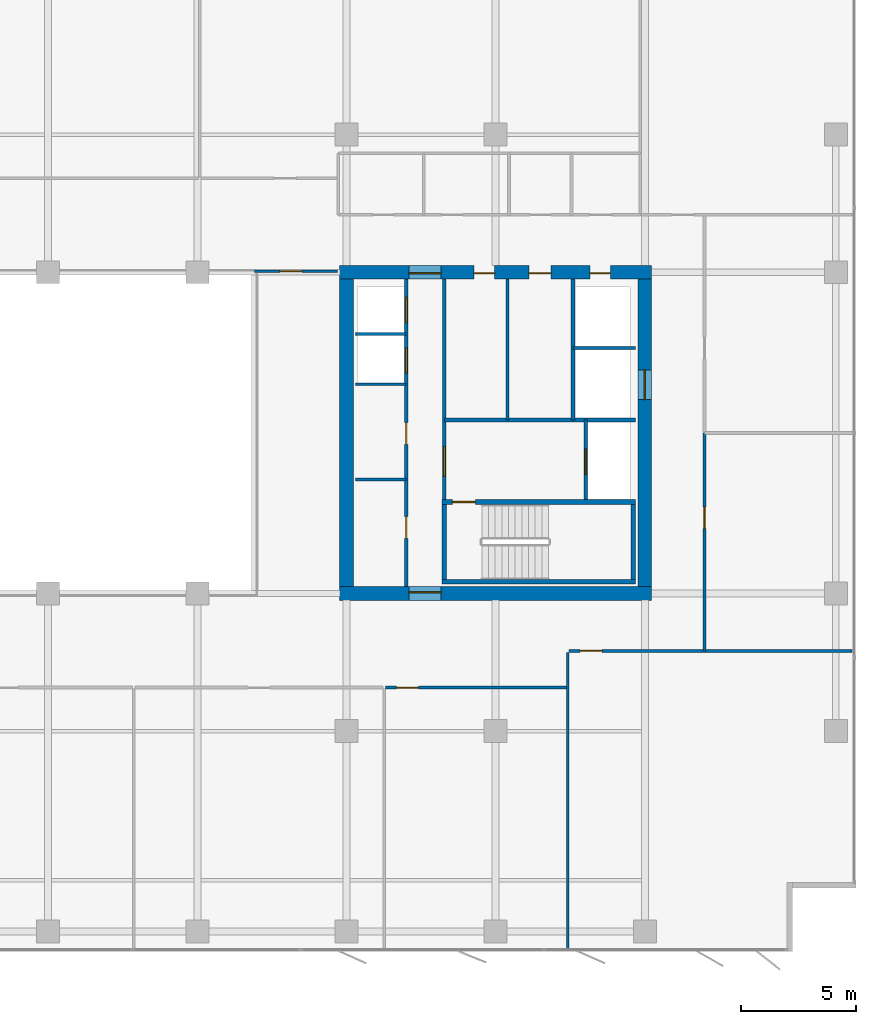
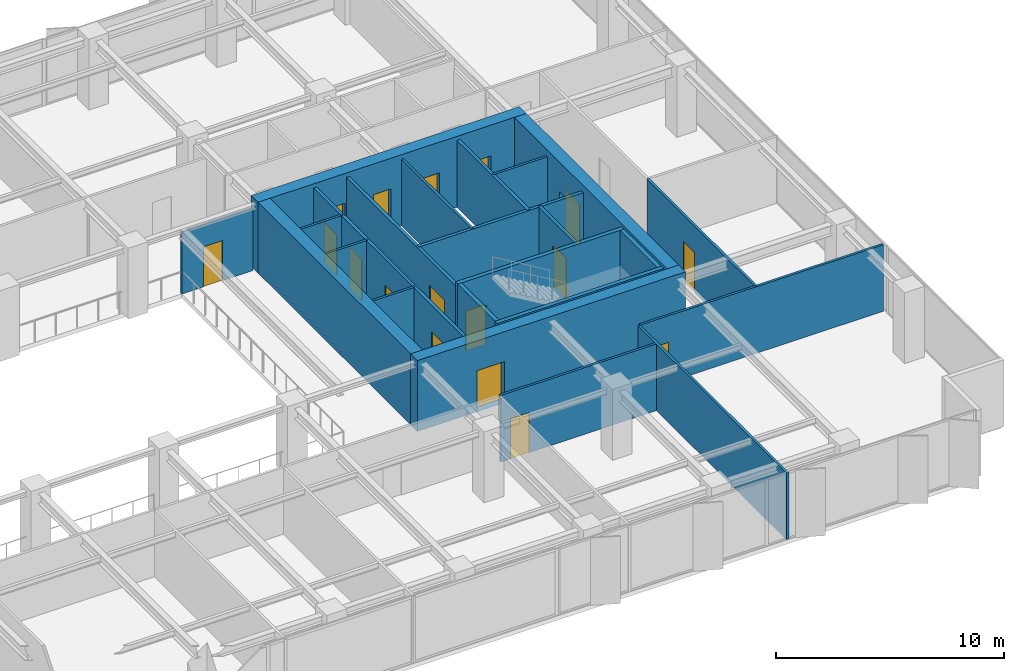
# One storey, part 16 of 22: 23 walls, 17 doors, 17 openings.
"""IFC4 building model written with IfcOpenShell, lengths in metres."""

from ifc_helpers import new_model, si_unit, direction, frame, frame_2d, origin, place, context, subcontext, project, spatial, rectangle, extrude, material, layer, layer_set, type_object, element, fill, save


model = new_model("IFC4")

# Units and contexts
model_context = context("Model", 3, precision=1e-05, world=origin(), true_north=direction((0.0, 1.0)))
body_context = subcontext(model_context, "Body", "Model", "MODEL_VIEW")
ifc_project = project(units=[si_unit("LENGTHUNIT", "METRE"), si_unit("AREAUNIT", "SQUARE_METRE"), si_unit("VOLUMEUNIT", "CUBIC_METRE"), si_unit("PLANEANGLEUNIT", "RADIAN"), si_unit("MASSUNIT", "GRAM", prefix="KILO")], contexts=[model_context])

# Site, building, storey
site_placement = place(None, origin())
site = spatial("IfcSite", under=ifc_project, at=site_placement, CompositionType="ELEMENT")
building_placement = place(site_placement, origin())
building = spatial("IfcBuilding", under=site, at=building_placement, Name="Putna Gate Headquarters", CompositionType="ELEMENT")
storey_placement = place(building_placement, frame((0.0, 0.0, 170.800048828125)))
storey = spatial("IfcBuildingStorey", under=building, at=storey_placement, Name="L42", CompositionType="ELEMENT", Elevation=170.800048828125)

# Wall, opening, door
ifc_material_1 = material(Name="Concrete C50/60", Category="concrete")
ifc_layer_1 = layer(ifc_material_1, 0.60009765625)
ifc_layer_set_1 = layer_set([ifc_layer_1], Name="Concrete C50/60")
wall_type_1 = type_object("IfcWallType", Name="WALL-CORE-600", PredefinedType="SHEAR", material=ifc_layer_set_1)
wall_1_placement = place(storey_placement, frame((51.699951171875, 19.0, 0.0), z_axis=(0.0, 0.0, 1.0), x_axis=(1.0, 0.0, 0.0)))
wall_1 = element("IfcWall", 1, at=wall_1_placement, inside=storey, type_object=wall_type_1, Name="L42 EC Split Core Shear Wall S", PredefinedType="SHEAR", context=body_context, shape_type="SweptSolid", body=[
    extrude(rectangle(XDim=13.60009765625, YDim=0.60009765625, at=frame_2d((6.800048828125, 0.0))), origin(), (0.0, 0.0, 1.0), 3.800048828125),
])
opening_1_placement = place(wall_1_placement, frame((3.02001953125, 0.0, 0.0)))
opening_1 = element("IfcOpeningElement", 2, at=opening_1_placement, cuts=wall_1, Name="Opening FDD-140", PredefinedType="OPENING", context=body_context, shape_type="SweptSolid", body=[
    extrude(rectangle(XDim=1.39990234375, YDim=2.199951171875, at=frame_2d((0.699951171875, 1.10009765625))), frame((0.0, 0.31005859375, 0.0), z_axis=(0.0, -1.0, 0.0), x_axis=(1.0, 0.0, 0.0)), (0.0, 0.0, 1.0), 0.6201171875),
])
ifc_material_2 = material(Name="Double steel fire door", Category="steel")
door_type_1 = type_object("IfcDoorType", Name="DOOR-FIRE-DBL-1400", OperationType="DOUBLE_DOOR_SINGLE_SWING", PredefinedType="DOOR", material=ifc_material_2)
door_1_placement = place(opening_1_placement, origin())
door_1 = element("IfcDoor", 3, at=door_1_placement, inside=storey, type_object=door_type_1, Name="L42 East Lift Lobby South Door", OperationType="DOUBLE_DOOR_SINGLE_SWING", OverallHeight=2.199951171875, OverallWidth=1.39990234375, PredefinedType="DOOR", context=body_context, shape_type="SweptSolid", body=[
    extrude(rectangle(XDim=1.39990234375, YDim=2.199951171875, at=frame_2d((0.699951171875, 1.10009765625))), frame((0.0, 0.0751953125, 0.0), z_axis=(0.0, -1.0, 0.0), x_axis=(1.0, 0.0, 0.0)), (0.0, 0.0, 1.0), 0.050048828125),
])
fill(opening_1, door_1)

# Wall, openings, doors
wall_2_placement = place(storey_placement, frame((51.699951171875, 33.0, 0.0), z_axis=(0.0, 0.0, 1.0), x_axis=(1.0, 0.0, 0.0)))
wall_2 = element("IfcWall", 4, at=wall_2_placement, inside=storey, type_object=wall_type_1, Name="L42 EC Split Core Shear Wall N", PredefinedType="SHEAR", context=body_context, shape_type="SweptSolid", body=[
    extrude(rectangle(XDim=13.60009765625, YDim=0.60009765625, at=frame_2d((6.800048828125, 0.0))), origin(), (0.0, 0.0, 1.0), 3.800048828125),
])
opening_2_placement = place(wall_2_placement, frame((3.02001953125, 0.0, 0.0)))
opening_2 = element("IfcOpeningElement", 5, at=opening_2_placement, cuts=wall_2, Name="Opening FDD-140", PredefinedType="OPENING", context=body_context, shape_type="SweptSolid", body=[
    extrude(rectangle(XDim=1.39990234375, YDim=2.199951171875, at=frame_2d((0.699951171875, 1.10009765625))), frame((0.0, 0.31005859375, 0.0), z_axis=(0.0, -1.0, 0.0), x_axis=(1.0, 0.0, 0.0)), (0.0, 0.0, 1.0), 0.6201171875),
])
opening_3_placement = place(wall_2_placement, frame((10.89990234375, 0.0, 0.0)))
opening_3 = element("IfcOpeningElement", 6, at=opening_3_placement, cuts=wall_2, Name="Opening RD-90", PredefinedType="OPENING", context=body_context, shape_type="SweptSolid", body=[
    extrude(rectangle(XDim=0.89990234375, YDim=2.14990234375, at=frame_2d((0.449951171875, 1.074951171875))), frame((0.0, 0.31005859375, 0.0), z_axis=(0.0, -1.0, 0.0), x_axis=(1.0, 0.0, 0.0)), (0.0, 0.0, 1.0), 0.6201171875),
])
opening_4_placement = place(wall_2_placement, frame((5.85009765625, 0.0, 0.0)))
opening_4 = element("IfcOpeningElement", 7, at=opening_4_placement, cuts=wall_2, Name="Opening IDS-90", PredefinedType="OPENING", context=body_context, shape_type="SweptSolid", body=[
    extrude(rectangle(XDim=0.89990234375, YDim=2.14990234375, at=frame_2d((0.449951171875, 1.074951171875))), frame((0.0, 0.31005859375, 0.0), z_axis=(0.0, -1.0, 0.0), x_axis=(1.0, 0.0, 0.0)), (0.0, 0.0, 1.0), 0.6201171875),
])
opening_5_placement = place(wall_2_placement, frame((8.25, 0.0, 0.0)))
opening_5 = element("IfcOpeningElement", 8, at=opening_5_placement, cuts=wall_2, Name="Opening IDS-95", PredefinedType="OPENING", context=body_context, shape_type="SweptSolid", body=[
    extrude(rectangle(XDim=0.949951171875, YDim=2.14990234375, at=frame_2d((0.47509765625, 1.074951171875))), frame((0.0, 0.31005859375, 0.0), z_axis=(0.0, -1.0, 0.0), x_axis=(1.0, 0.0, 0.0)), (0.0, 0.0, 1.0), 0.6201171875),
])
door_2_placement = place(opening_2_placement, origin())
door_2 = element("IfcDoor", 9, at=door_2_placement, inside=storey, type_object=door_type_1, Name="L42 East Lift Lobby North Door", OperationType="DOUBLE_DOOR_SINGLE_SWING", OverallHeight=2.199951171875, OverallWidth=1.39990234375, PredefinedType="DOOR", context=body_context, shape_type="SweptSolid", body=[
    extrude(rectangle(XDim=1.39990234375, YDim=2.199951171875, at=frame_2d((0.699951171875, 1.10009765625))), frame((0.0, -0.02490234375, 0.0), z_axis=(0.0, -1.0, 0.0), x_axis=(1.0, 0.0, 0.0)), (0.0, 0.0, 1.0), 0.050048828125),
])
fill(opening_2, door_2)
ifc_material_3 = material(Name="Fire-rated utility door")
door_type_2 = type_object("IfcDoorType", Name="DOOR-INT-900", OperationType="NOTDEFINED", PredefinedType="DOOR", material=ifc_material_3)
door_3_placement = place(opening_4_placement, origin())
door_3 = element("IfcDoor", 10, at=door_3_placement, inside=storey, type_object=door_type_2, Name="L42 Telecoms Plant Door", OperationType="SINGLE_SWING_LEFT", OverallHeight=2.14990234375, OverallWidth=0.89990234375, PredefinedType="DOOR", context=body_context, shape_type="SweptSolid", body=[
    extrude(rectangle(XDim=0.89990234375, YDim=2.14990234375, at=frame_2d((0.449951171875, 1.074951171875))), frame((0.0, -0.02490234375, 0.0), z_axis=(0.0, -1.0, 0.0), x_axis=(1.0, 0.0, 0.0)), (0.0, 0.0, 1.0), 0.050048828125),
])
fill(opening_4, door_3)
ifc_material_4 = material(Name="Fire-rated service timber door", Category="wood")
door_type_3 = type_object("IfcDoorType", Name="DOOR-INT-950", OperationType="NOTDEFINED", PredefinedType="DOOR", material=ifc_material_4)
door_4_placement = place(opening_5_placement, origin())
door_4 = element("IfcDoor", 11, at=door_4_placement, inside=storey, type_object=door_type_3, Name="L42 Supplies Store Door", OperationType="SINGLE_SWING_RIGHT", OverallHeight=2.14990234375, OverallWidth=0.949951171875, PredefinedType="DOOR", context=body_context, shape_type="SweptSolid", body=[
    extrude(rectangle(XDim=0.949951171875, YDim=2.14990234375, at=frame_2d((0.47509765625, 1.074951171875))), frame((0.0, -0.02490234375, 0.0), z_axis=(0.0, -1.0, 0.0), x_axis=(1.0, 0.0, 0.0)), (0.0, 0.0, 1.0), 0.050048828125),
])
fill(opening_5, door_4)
ifc_material_5 = material(Name="Steel riser access fire door", Category="steel")
door_type_4 = type_object("IfcDoorType", Name="DOOR-RISER-900", OperationType="NOTDEFINED", PredefinedType="DOOR", material=ifc_material_5)
door_5_placement = place(opening_3_placement, origin())
door_5 = element("IfcDoor", 12, at=door_5_placement, inside=storey, type_object=door_type_4, Name="L42 East Riser Access Door", OperationType="SINGLE_SWING_LEFT", OverallHeight=2.14990234375, OverallWidth=0.89990234375, PredefinedType="DOOR", context=body_context, shape_type="SweptSolid", body=[
    extrude(rectangle(XDim=0.89990234375, YDim=2.14990234375, at=frame_2d((0.449951171875, 1.074951171875))), frame((0.0, -0.02490234375, 0.0), z_axis=(0.0, -1.0, 0.0), x_axis=(1.0, 0.0, 0.0)), (0.0, 0.0, 1.0), 0.050048828125),
])
fill(opening_3, door_5)

# Wall
wall_3_placement = place(storey_placement, frame((52.0, 19.300048828125, 0.0), z_axis=(0.0, 0.0, 1.0), x_axis=(0.0, 1.0, 0.0)))
element("IfcWall", 13, at=wall_3_placement, inside=storey, type_object=wall_type_1, Name="L42 EC Split Core Shear Wall W", PredefinedType="SHEAR", context=body_context, shape_type="SweptSolid", body=[
    extrude(rectangle(XDim=13.39990234375, YDim=0.60009765625, at=frame_2d((6.699951171875, 0.0))), origin(), (0.0, 0.0, 1.0), 3.800048828125),
])

# Wall, opening, door
wall_4_placement = place(storey_placement, frame((65.0, 19.300048828125, 0.0), z_axis=(0.0, 0.0, 1.0), x_axis=(0.0, 1.0, 0.0)))
wall_4 = element("IfcWall", 14, at=wall_4_placement, inside=storey, type_object=wall_type_1, Name="L42 EC Split Core Shear Wall E", PredefinedType="SHEAR", context=body_context, shape_type="SweptSolid", body=[
    extrude(rectangle(XDim=13.39990234375, YDim=0.60009765625, at=frame_2d((6.699951171875, 0.0))), origin(), (0.0, 0.0, 1.0), 3.800048828125),
])
opening_6_placement = place(wall_4_placement, frame((8.14990234375, 0.0, 0.0)))
opening_6 = element("IfcOpeningElement", 15, at=opening_6_placement, cuts=wall_4, Name="Opening LD-2", PredefinedType="OPENING", context=body_context, shape_type="SweptSolid", body=[
    extrude(rectangle(XDim=1.300048828125, YDim=2.199951171875, at=frame_2d((0.64990234375, 1.10009765625))), frame((0.0, 0.31005859375, 0.0), z_axis=(0.0, -1.0, 0.0), x_axis=(1.0, 0.0, 0.0)), (0.0, 0.0, 1.0), 0.6201171875),
])
ifc_material_6 = material(Name="Heavy-duty goods lift sliding landing door")
door_type_5 = type_object("IfcDoorType", Name="DOOR-LIFT-1300", OperationType="DOUBLE_DOOR_SLIDING", PredefinedType="DOOR", material=ifc_material_6)
door_6_placement = place(opening_6_placement, origin())
door_6 = element("IfcDoor", 16, at=door_6_placement, inside=storey, type_object=door_type_5, Name="L42 Goods Lift Landing Door LD-15", OperationType="DOUBLE_DOOR_SLIDING", OverallHeight=2.199951171875, OverallWidth=1.300048828125, PredefinedType="DOOR", context=body_context, shape_type="SweptSolid", body=[
    extrude(rectangle(XDim=1.300048828125, YDim=2.199951171875, at=frame_2d((0.64990234375, 1.10009765625))), frame((0.0, 0.02490234375, 0.0), z_axis=(0.0, -1.0, 0.0), x_axis=(1.0, 0.0, 0.0)), (0.0, 0.0, 1.0), 0.050048828125),
])
fill(opening_6, door_6)

ifc_material_7 = material(Name="Acoustic gypsum board on metal stud")
ifc_layer_2 = layer(ifc_material_7, 0.1201171875)
ifc_layer_set_2 = layer_set([ifc_layer_2], Name="Acoustic gypsum board on metal stud")
wall_type_2 = type_object("IfcWallType", Name="WALL-PART-120", PredefinedType="PARTITIONING", material=ifc_layer_set_2)
wall_5_placement = place(storey_placement, frame((48.0, 33.0400390625, 0.0), z_axis=(0.0, 0.0, 1.0), x_axis=(1.0, 0.0, 0.0)))
wall_5 = element("IfcWall", 17, at=wall_5_placement, inside=storey, type_object=wall_type_2, Name="L42 Interior Wall PART-L42-ATR-E-N", PredefinedType="PARTITIONING", context=body_context, shape_type="SweptSolid", body=[
    extrude(rectangle(XDim=3.60009765625, YDim=0.1201171875, at=frame_2d((1.800048828125, 0.0))), origin(), (0.0, 0.0, 1.0), 3.31201171875),
])
opening_7_placement = place(wall_5_placement, frame((1.10009765625, 0.0, 0.0)))
opening_7 = element("IfcOpeningElement", 18, at=opening_7_placement, cuts=wall_5, Name="Opening ID-95", PredefinedType="OPENING", context=body_context, shape_type="SweptSolid", body=[
    extrude(rectangle(XDim=0.949951171875, YDim=2.14990234375, at=frame_2d((0.47509765625, 1.074951171875))), frame((0.0, 0.070068359375, 0.0), z_axis=(0.0, -1.0, 0.0), x_axis=(1.0, 0.0, 0.0)), (0.0, 0.0, 1.0), 0.14013671875),
])
ifc_material_8 = material(Name="Veneered acoustic timber door", Category="wood")
door_type_6 = type_object("IfcDoorType", Name="DOOR-OFF-950", OperationType="NOTDEFINED", PredefinedType="DOOR", material=ifc_material_8)
door_7_placement = place(opening_7_placement, origin())
door_7 = element("IfcDoor", 19, at=door_7_placement, inside=storey, type_object=door_type_6, Name="L42 East Sky Atrium Lounge Door", OperationType="SINGLE_SWING_LEFT", OverallHeight=2.14990234375, OverallWidth=0.949951171875, PredefinedType="DOOR", context=body_context, shape_type="SweptSolid", body=[
    extrude(rectangle(XDim=0.949951171875, YDim=2.14990234375, at=frame_2d((0.47509765625, 1.074951171875))), frame((0.0, 0.02490234375, 0.0), z_axis=(0.0, -1.0, 0.0), x_axis=(1.0, 0.0, 0.0)), (0.0, 0.0, 1.0), 0.050048828125),
])
fill(opening_7, door_7)

# Walls
wall_6_placement = place(storey_placement, frame((61.643798828125, 3.419921875, 0.0), z_axis=(0.0, 0.0, 1.0), x_axis=(0.0, 1.0, 0.0)))
element("IfcWall", 20, at=wall_6_placement, inside=storey, type_object=wall_type_2, Name="L42 Interior Wall PART-L42-SB-DIV-06", PredefinedType="PARTITIONING", context=body_context, shape_type="SweptSolid", body=[
    extrude(rectangle(XDim=13.02001953125, YDim=0.1201171875, at=frame_2d((6.510009765625, 0.0))), origin(), (0.0, 0.0, 1.0), 3.572021484375),
])
ifc_material_9 = material(Name="Fire-rated shaftwall gypsum board on metal stud")
ifc_layer_3 = layer(ifc_material_9, 0.1201171875)
ifc_layer_set_3 = layer_set([ifc_layer_3], Name="Fire-rated shaftwall gypsum board on metal stud")
wall_type_3 = type_object("IfcWallType", Name="WALL-PART-120-EI120", PredefinedType="PARTITIONING", material=ifc_layer_set_3)
wall_7_placement = place(storey_placement, frame((52.39990234375, 30.31005859375, 0.0), z_axis=(0.0, 0.0, 1.0), x_axis=(1.0, 0.0, 0.0)))
element("IfcWall", 21, at=wall_7_placement, inside=storey, type_object=wall_type_3, Name="L42 Interior Wall CWINT-L42-EC-LF11-DIV", PredefinedType="PARTITIONING", context=body_context, shape_type="SweptSolid", body=[
    extrude(rectangle(XDim=2.2001953125, YDim=0.1201171875, at=frame_2d((1.10009765625, 0.0))), origin(), (0.0, 0.0, 1.0), 3.572021484375),
])
wall_8_placement = place(storey_placement, frame((61.8701171875, 29.699951171875, 0.0), z_axis=(0.0, 0.0, 1.0), x_axis=(1.0, 0.0, 0.0)))
element("IfcWall", 22, at=wall_8_placement, inside=storey, type_object=wall_type_3, Name="L42 Interior Wall CWINT-L42-EC-LF15-N", PredefinedType="PARTITIONING", context=body_context, shape_type="SweptSolid", body=[
    extrude(rectangle(XDim=2.72998046875, YDim=0.1201171875, at=frame_2d((1.364990234375, 0.0))), origin(), (0.0, 0.0, 1.0), 3.572021484375),
])
ifc_material_10 = material(Name="Fire-rated gypsum board on metal stud")
ifc_layer_4 = layer(ifc_material_10, 0.1201171875)
ifc_layer_set_4 = layer_set([ifc_layer_4], Name="Fire-rated gypsum board on metal stud")
wall_type_4 = type_object("IfcWallType", Name="WALL-PART-120-RATED", PredefinedType="PARTITIONING", material=ifc_layer_set_4)
for number, where, z_axis, x_axis, name in (
    (23, (52.39990234375, 23.969970703125, 0.0), (0.0, 0.0, 1.0), (1.0, 0.0, 0.0), "L42 Interior Wall CWINT-L42-EC-REUSE-DIV"),
    (24, (52.39990234375, 28.1201171875, 0.0), (0.0, 0.0, 1.0), (1.0, 0.0, 0.0), "L42 Interior Wall CWINT-L42-EC-LF08-DIV"),
):
    element("IfcWall", number, at=place(storey_placement, frame(where, z_axis=z_axis, x_axis=x_axis)), inside=storey, type_object=wall_type_4, Name=name, PredefinedType="PARTITIONING", context=body_context, shape_type="SweptSolid", body=[
        extrude(rectangle(XDim=2.2001953125, YDim=0.1201171875, at=frame_2d((1.10009765625, 0.0))), origin(), (0.0, 0.0, 1.0), 3.572021484375),
    ])
wall_9_placement = place(storey_placement, frame((59.02001953125, 26.56005859375, 0.0), z_axis=(0.0, 0.0, 1.0), x_axis=(0.0, 1.0, 0.0)))
element("IfcWall", 25, at=wall_9_placement, inside=storey, type_object=wall_type_4, Name="L42 Interior Wall CWINT-L42-EC-K1-DIV", PredefinedType="PARTITIONING", context=body_context, shape_type="SweptSolid", body=[
    extrude(rectangle(XDim=6.139892578125, YDim=0.1201171875, at=frame_2d((3.06982421875, 0.0))), origin(), (0.0, 0.0, 1.0), 3.572021484375),
])

# Wall, opening, door
wall_10_placement = place(storey_placement, frame((53.705322265625, 14.89990234375, 0.0), z_axis=(0.0, 0.0, 1.0), x_axis=(1.0, 0.0, 0.0)))
wall_10 = element("IfcWall", 26, at=wall_10_placement, inside=storey, type_object=wall_type_4, Name="L42 Interior Wall PART-L42-SB-CW-06", PredefinedType="PARTITIONING", context=body_context, shape_type="SweptSolid", body=[
    extrude(rectangle(XDim=7.878662109375, YDim=0.1201171875, at=frame_2d((3.939453125, 0.0))), origin(), (0.0, 0.0, 1.0), 3.572021484375),
])
opening_8_placement = place(wall_10_placement, frame((0.47998046875, 0.0, 0.0)))
opening_8 = element("IfcOpeningElement", 27, at=opening_8_placement, cuts=wall_10, Name="Opening FD-95", PredefinedType="OPENING", context=body_context, shape_type="SweptSolid", body=[
    extrude(rectangle(XDim=0.949951171875, YDim=2.14990234375, at=frame_2d((0.47509765625, 1.074951171875))), frame((0.0, 0.070068359375, 0.0), z_axis=(0.0, -1.0, 0.0), x_axis=(1.0, 0.0, 0.0)), (0.0, 0.0, 1.0), 0.14013671875),
])
ifc_material_11 = material(Name="Acoustic timber fire door", Category="wood")
door_type_7 = type_object("IfcDoorType", Name="DOOR-FIRE-950", OperationType="NOTDEFINED", PredefinedType="DOOR", material=ifc_material_11)
door_8_placement = place(opening_8_placement, origin())
door_8 = element("IfcDoor", 28, at=door_8_placement, inside=storey, type_object=door_type_7, Name="L42 Quiet Wellness Focus Studio 1 Door", OperationType="SINGLE_SWING_LEFT", OverallHeight=2.14990234375, OverallWidth=0.949951171875, PredefinedType="DOOR", context=body_context, shape_type="SweptSolid", body=[
    extrude(rectangle(XDim=0.949951171875, YDim=2.14990234375, at=frame_2d((0.47509765625, 1.074951171875))), frame((0.0, 0.02490234375, 0.0), z_axis=(0.0, -1.0, 0.0), x_axis=(1.0, 0.0, 0.0)), (0.0, 0.0, 1.0), 0.050048828125),
])
fill(opening_8, door_8)

wall_11_placement = place(storey_placement, frame((61.703857421875, 16.5, 0.0), z_axis=(0.0, 0.0, 1.0), x_axis=(1.0, 0.0, 0.0)))
wall_11 = element("IfcWall", 29, at=wall_11_placement, inside=storey, type_object=wall_type_4, Name="L42 Interior Wall PART-L42-SB-CW-07", PredefinedType="PARTITIONING", context=body_context, shape_type="SweptSolid", body=[
    extrude(rectangle(XDim=12.316162109375, YDim=0.1201171875, at=frame_2d((6.158203125, 0.0))), origin(), (0.0, 0.0, 1.0), 3.572021484375),
])
opening_9_placement = place(wall_11_placement, frame((0.47998046875, 0.0, 0.0)))
opening_9 = element("IfcOpeningElement", 30, at=opening_9_placement, cuts=wall_11, Name="Opening FD-95", PredefinedType="OPENING", context=body_context, shape_type="SweptSolid", body=[
    extrude(rectangle(XDim=0.949951171875, YDim=2.14990234375, at=frame_2d((0.47509765625, 1.074951171875))), frame((0.0, 0.070068359375, 0.0), z_axis=(0.0, -1.0, 0.0), x_axis=(1.0, 0.0, 0.0)), (0.0, 0.0, 1.0), 0.14013671875),
])
door_9_placement = place(opening_9_placement, origin())
door_9 = element("IfcDoor", 31, at=door_9_placement, inside=storey, type_object=door_type_7, Name="L42 Cellular Office 4 Door", OperationType="SINGLE_SWING_RIGHT", OverallHeight=2.14990234375, OverallWidth=0.949951171875, PredefinedType="DOOR", context=body_context, shape_type="SweptSolid", body=[
    extrude(rectangle(XDim=0.949951171875, YDim=2.14990234375, at=frame_2d((0.47509765625, 1.074951171875))), frame((0.0, 0.02490234375, 0.0), z_axis=(0.0, -1.0, 0.0), x_axis=(1.0, 0.0, 0.0)), (0.0, 0.0, 1.0), 0.050048828125),
])
fill(opening_9, door_9)

wall_12_placement = place(storey_placement, frame((67.60009765625, 16.5, 0.0), z_axis=(0.0, 0.0, 1.0), x_axis=(0.0, 1.0, 0.0)))
wall_12 = element("IfcWall", 32, at=wall_12_placement, inside=storey, type_object=wall_type_4, Name="L42 Interior Wall PART-L42-EW-CW-1", PredefinedType="PARTITIONING", context=body_context, shape_type="SweptSolid", body=[
    extrude(rectangle(XDim=9.5, YDim=0.1201171875, at=frame_2d((4.75, 0.0))), origin(), (0.0, 0.0, 1.0), 3.572021484375),
])
opening_10_placement = place(wall_12_placement, frame((5.324951171875, 0.0, 0.0)))
opening_10 = element("IfcOpeningElement", 33, at=opening_10_placement, cuts=wall_12, Name="Opening FD-95", PredefinedType="OPENING", context=body_context, shape_type="SweptSolid", body=[
    extrude(rectangle(XDim=0.949951171875, YDim=2.14990234375, at=frame_2d((0.47509765625, 1.074951171875))), frame((0.0, 0.070068359375, 0.0), z_axis=(0.0, -1.0, 0.0), x_axis=(1.0, 0.0, 0.0)), (0.0, 0.0, 1.0), 0.14013671875),
])
door_10_placement = place(opening_10_placement, origin())
door_10 = element("IfcDoor", 34, at=door_10_placement, inside=storey, type_object=door_type_7, Name="L42 East Advisory Office 1 Door", OperationType="SINGLE_SWING_RIGHT", OverallHeight=2.14990234375, OverallWidth=0.949951171875, PredefinedType="DOOR", context=body_context, shape_type="SweptSolid", body=[
    extrude(rectangle(XDim=0.949951171875, YDim=2.14990234375, at=frame_2d((0.47509765625, 1.074951171875))), frame((0.0, 0.02490234375, 0.0), z_axis=(0.0, -1.0, 0.0), x_axis=(1.0, 0.0, 0.0)), (0.0, 0.0, 1.0), 0.050048828125),
])
fill(opening_10, door_10)

# Wall, openings, doors
ifc_material_12 = material(Name="Concrete C40/50", Category="concrete")
ifc_layer_5 = layer(ifc_material_12, 0.159912109375)
ifc_layer_set_5 = layer_set([ifc_layer_5], Name="Concrete C40/50")
wall_type_5 = type_object("IfcWallType", Name="WALL-SHAFT-160", PredefinedType="STANDARD", material=ifc_layer_set_5)
wall_13_placement = place(storey_placement, frame((54.60009765625, 19.300048828125, 0.0), z_axis=(0.0, 0.0, 1.0), x_axis=(0.0, 1.0, 0.0)))
wall_13 = element("IfcWall", 35, at=wall_13_placement, inside=storey, type_object=wall_type_5, Name="L42 Interior Wall CWINT-L42-EC-PL-WALL", PredefinedType="STANDARD", context=body_context, shape_type="SweptSolid", body=[
    extrude(rectangle(XDim=13.39990234375, YDim=0.159912109375, at=frame_2d((6.699951171875, 0.0))), origin(), (0.0, 0.0, 1.0), 3.572021484375),
])
opening_11_placement = place(wall_13_placement, frame((2.10009765625, 0.0, 0.0)))
opening_11 = element("IfcOpeningElement", 36, at=opening_11_placement, cuts=wall_13, Name="Opening IDS-95", PredefinedType="OPENING", context=body_context, shape_type="SweptSolid", body=[
    extrude(rectangle(XDim=0.949951171875, YDim=2.14990234375, at=frame_2d((0.47509765625, 1.074951171875))), frame((0.0, 0.08984375, 0.0), z_axis=(0.0, -1.0, 0.0), x_axis=(1.0, 0.0, 0.0)), (0.0, 0.0, 1.0), 0.179931640625),
])
opening_12_placement = place(wall_13_placement, frame((6.199951171875, 0.0, 0.0)))
opening_12 = element("IfcOpeningElement", 37, at=opening_12_placement, cuts=wall_13, Name="Opening IDS-95", PredefinedType="OPENING", context=body_context, shape_type="SweptSolid", body=[
    extrude(rectangle(XDim=0.949951171875, YDim=2.14990234375, at=frame_2d((0.47509765625, 1.074951171875))), frame((0.0, 0.08984375, 0.0), z_axis=(0.0, -1.0, 0.0), x_axis=(1.0, 0.0, 0.0)), (0.0, 0.0, 1.0), 0.179931640625),
])
opening_13_placement = place(wall_13_placement, frame((9.300048828125, 0.0, 0.0)))
opening_13 = element("IfcOpeningElement", 38, at=opening_13_placement, cuts=wall_13, Name="Opening LD-1", PredefinedType="OPENING", context=body_context, shape_type="SweptSolid", body=[
    extrude(rectangle(XDim=1.10009765625, YDim=2.199951171875, at=frame_2d((0.550048828125, 1.10009765625))), frame((0.0, 0.08984375, 0.0), z_axis=(0.0, -1.0, 0.0), x_axis=(1.0, 0.0, 0.0)), (0.0, 0.0, 1.0), 0.179931640625),
])
opening_14_placement = place(wall_13_placement, frame((11.5, 0.0, 0.0)))
opening_14 = element("IfcOpeningElement", 39, at=opening_14_placement, cuts=wall_13, Name="Opening LD-1", PredefinedType="OPENING", context=body_context, shape_type="SweptSolid", body=[
    extrude(rectangle(XDim=1.10009765625, YDim=2.199951171875, at=frame_2d((0.550048828125, 1.10009765625))), frame((0.0, 0.08984375, 0.0), z_axis=(0.0, -1.0, 0.0), x_axis=(1.0, 0.0, 0.0)), (0.0, 0.0, 1.0), 0.179931640625),
])
door_11_placement = place(opening_11_placement, origin())
door_11 = element("IfcDoor", 40, at=door_11_placement, inside=storey, type_object=door_type_3, Name="L42 Executive Archive Door", OperationType="SINGLE_SWING_RIGHT", OverallHeight=2.14990234375, OverallWidth=0.949951171875, PredefinedType="DOOR", context=body_context, shape_type="SweptSolid", body=[
    extrude(rectangle(XDim=0.949951171875, YDim=2.14990234375, at=frame_2d((0.47509765625, 1.074951171875))), frame((0.0, 0.02490234375, 0.0), z_axis=(0.0, -1.0, 0.0), x_axis=(1.0, 0.0, 0.0)), (0.0, 0.0, 1.0), 0.050048828125),
])
fill(opening_11, door_11)
door_12_placement = place(opening_12_placement, origin())
door_12 = element("IfcDoor", 41, at=door_12_placement, inside=storey, type_object=door_type_3, Name="L42 Comms Distribution Door", OperationType="SINGLE_SWING_LEFT", OverallHeight=2.14990234375, OverallWidth=0.949951171875, PredefinedType="DOOR", context=body_context, shape_type="SweptSolid", body=[
    extrude(rectangle(XDim=0.949951171875, YDim=2.14990234375, at=frame_2d((0.47509765625, 1.074951171875))), frame((0.0, 0.02490234375, 0.0), z_axis=(0.0, -1.0, 0.0), x_axis=(1.0, 0.0, 0.0)), (0.0, 0.0, 1.0), 0.050048828125),
])
fill(opening_12, door_12)
ifc_material_13 = material(Name="Brushed bronze stainless lift landing door")
door_type_8 = type_object("IfcDoorType", Name="DOOR-LIFT-1100", OperationType="DOUBLE_DOOR_SLIDING", PredefinedType="DOOR", material=ifc_material_13)
door_13_placement = place(opening_13_placement, origin())
door_13 = element("IfcDoor", 42, at=door_13_placement, inside=storey, type_object=door_type_8, Name="L42 Lift Landing Door LD-11", OperationType="DOUBLE_DOOR_SLIDING", OverallHeight=2.199951171875, OverallWidth=1.10009765625, PredefinedType="DOOR", context=body_context, shape_type="SweptSolid", body=[
    extrude(rectangle(XDim=1.10009765625, YDim=2.199951171875, at=frame_2d((0.550048828125, 1.10009765625))), frame((0.0, 0.02490234375, 0.0), z_axis=(0.0, -1.0, 0.0), x_axis=(1.0, 0.0, 0.0)), (0.0, 0.0, 1.0), 0.050048828125),
])
fill(opening_13, door_13)
door_14_placement = place(opening_14_placement, origin())
door_14 = element("IfcDoor", 43, at=door_14_placement, inside=storey, type_object=door_type_8, Name="L42 Lift Landing Door LD-12", OperationType="DOUBLE_DOOR_SLIDING", OverallHeight=2.199951171875, OverallWidth=1.10009765625, PredefinedType="DOOR", context=body_context, shape_type="SweptSolid", body=[
    extrude(rectangle(XDim=1.10009765625, YDim=2.199951171875, at=frame_2d((0.550048828125, 1.10009765625))), frame((0.0, 0.02490234375, 0.0), z_axis=(0.0, -1.0, 0.0), x_axis=(1.0, 0.0, 0.0)), (0.0, 0.0, 1.0), 0.050048828125),
])
fill(opening_14, door_14)

# Wall, opening, door
wall_14_placement = place(storey_placement, frame((56.260009765625, 23.090087890625, 0.0), z_axis=(0.0, 0.0, 1.0), x_axis=(0.0, 1.0, 0.0)))
wall_14 = element("IfcWall", 44, at=wall_14_placement, inside=storey, type_object=wall_type_5, Name="L42 Interior Wall CWINT-L42-EC-LOB-E", PredefinedType="STANDARD", context=body_context, shape_type="SweptSolid", body=[
    extrude(rectangle(XDim=9.60986328125, YDim=0.159912109375, at=frame_2d((4.804931640625, 0.0))), origin(), (0.0, 0.0, 1.0), 3.572021484375),
])
opening_15_placement = place(wall_14_placement, frame((1.010009765625, 0.0, 0.0)))
opening_15 = element("IfcOpeningElement", 45, at=opening_15_placement, cuts=wall_14, Name="Opening FDD-130", PredefinedType="OPENING", context=body_context, shape_type="SweptSolid", body=[
    extrude(rectangle(XDim=1.300048828125, YDim=2.199951171875, at=frame_2d((0.64990234375, 1.10009765625))), frame((0.0, 0.08984375, 0.0), z_axis=(0.0, -1.0, 0.0), x_axis=(1.0, 0.0, 0.0)), (0.0, 0.0, 1.0), 0.179931640625),
])
ifc_material_14 = material(Name="Double steel lobby fire door", Category="steel")
door_type_9 = type_object("IfcDoorType", Name="DOOR-FIRE-DBL-1300", OperationType="DOUBLE_DOOR_SINGLE_SWING", PredefinedType="DOOR", material=ifc_material_14)
door_15_placement = place(opening_15_placement, origin())
door_15 = element("IfcDoor", 46, at=door_15_placement, inside=storey, type_object=door_type_9, Name="L42 East Firefighting Lobby Door", OperationType="DOUBLE_DOOR_SINGLE_SWING", OverallHeight=2.199951171875, OverallWidth=1.300048828125, PredefinedType="DOOR", context=body_context, shape_type="SweptSolid", body=[
    extrude(rectangle(XDim=1.300048828125, YDim=2.199951171875, at=frame_2d((0.64990234375, 1.10009765625))), frame((0.0, 0.02490234375, 0.0), z_axis=(0.0, -1.0, 0.0), x_axis=(1.0, 0.0, 0.0)), (0.0, 0.0, 1.0), 0.050048828125),
])
fill(opening_15, door_15)

wall_15_placement = place(storey_placement, frame((62.429931640625, 23.090087890625, 0.0), z_axis=(0.0, 0.0, 1.0), x_axis=(0.0, 1.0, 0.0)))
wall_15 = element("IfcWall", 47, at=wall_15_placement, inside=storey, type_object=wall_type_5, Name="L42 Interior Wall CWINT-L42-EC-LF14-W", PredefinedType="STANDARD", context=body_context, shape_type="SweptSolid", body=[
    extrude(rectangle(XDim=3.469970703125, YDim=0.159912109375, at=frame_2d((1.73486328125, 0.0))), origin(), (0.0, 0.0, 1.0), 3.572021484375),
])
opening_16_placement = place(wall_15_placement, frame((1.10009765625, 0.0, 0.0)))
opening_16 = element("IfcOpeningElement", 48, at=opening_16_placement, cuts=wall_15, Name="Opening LD-1", PredefinedType="OPENING", context=body_context, shape_type="SweptSolid", body=[
    extrude(rectangle(XDim=1.10009765625, YDim=2.199951171875, at=frame_2d((0.550048828125, 1.10009765625))), frame((0.0, 0.08984375, 0.0), z_axis=(0.0, -1.0, 0.0), x_axis=(1.0, 0.0, 0.0)), (0.0, 0.0, 1.0), 0.179931640625),
])
door_16_placement = place(opening_16_placement, origin())
door_16 = element("IfcDoor", 49, at=door_16_placement, inside=storey, type_object=door_type_8, Name="L42 Lift Landing Door LD-14", OperationType="DOUBLE_DOOR_SLIDING", OverallHeight=2.199951171875, OverallWidth=1.10009765625, PredefinedType="DOOR", context=body_context, shape_type="SweptSolid", body=[
    extrude(rectangle(XDim=1.10009765625, YDim=2.199951171875, at=frame_2d((0.550048828125, 1.10009765625))), frame((0.0, 0.02490234375, 0.0), z_axis=(0.0, -1.0, 0.0), x_axis=(1.0, 0.0, 0.0)), (0.0, 0.0, 1.0), 0.050048828125),
])
fill(opening_16, door_16)

# Walls
wall_16_placement = place(storey_placement, frame((56.260009765625, 26.56005859375, 0.0), z_axis=(0.0, 0.0, 1.0), x_axis=(1.0, 0.0, 0.0)))
element("IfcWall", 50, at=wall_16_placement, inside=storey, type_object=wall_type_5, Name="L42 Interior Wall CWINT-L42-EC-FFL-N", PredefinedType="STANDARD", context=body_context, shape_type="SweptSolid", body=[
    extrude(rectangle(XDim=8.340087890625, YDim=0.159912109375, at=frame_2d((4.169921875, 0.0))), origin(), (0.0, 0.0, 1.0), 3.572021484375),
])
wall_17_placement = place(storey_placement, frame((61.8701171875, 26.56005859375, 0.0), z_axis=(0.0, 0.0, 1.0), x_axis=(0.0, 1.0, 0.0)))
element("IfcWall", 51, at=wall_17_placement, inside=storey, type_object=wall_type_5, Name="L42 Interior Wall CWINT-L42-EC-LF15-W", PredefinedType="STANDARD", context=body_context, shape_type="SweptSolid", body=[
    extrude(rectangle(XDim=6.139892578125, YDim=0.159912109375, at=frame_2d((3.06982421875, 0.0))), origin(), (0.0, 0.0, 1.0), 3.572021484375),
])
ifc_layer_6 = layer(ifc_material_12, 0.199951171875)
ifc_layer_set_6 = layer_set([ifc_layer_6], Name="Concrete C40/50")
wall_type_6 = type_object("IfcWallType", Name="WALL-SHAFT-RC200", PredefinedType="SHEAR", material=ifc_layer_set_6)
wall_18_placement = place(storey_placement, frame((56.159912109375, 19.510009765625, 0.0), z_axis=(0.0, 0.0, 1.0), x_axis=(1.0, 0.0, 0.0)))
element("IfcWall", 52, at=wall_18_placement, inside=storey, type_object=wall_type_6, Name="L42 Stair ST2 Structural Shaft Wall S", PredefinedType="SHEAR", context=body_context, shape_type="SweptSolid", body=[
    extrude(rectangle(XDim=8.43017578125, YDim=0.199951171875, at=frame_2d((4.215087890625, 0.0))), origin(), (0.0, 0.0, 1.0), 3.800048828125),
])

# Wall, opening, door
wall_19_placement = place(storey_placement, frame((56.159912109375, 22.989990234375, 0.0), z_axis=(0.0, 0.0, 1.0), x_axis=(1.0, 0.0, 0.0)))
wall_19 = element("IfcWall", 53, at=wall_19_placement, inside=storey, type_object=wall_type_6, Name="L42 Stair ST2 Structural Shaft Wall N", PredefinedType="SHEAR", context=body_context, shape_type="SweptSolid", body=[
    extrude(rectangle(XDim=8.43017578125, YDim=0.199951171875, at=frame_2d((4.215087890625, 0.0))), origin(), (0.0, 0.0, 1.0), 3.800048828125),
])
opening_17_placement = place(wall_19_placement, frame((0.449951171875, 0.0, 0.0)))
opening_17 = element("IfcOpeningElement", 54, at=opening_17_placement, cuts=wall_19, Name="Opening FD-100", PredefinedType="OPENING", context=body_context, shape_type="SweptSolid", body=[
    extrude(rectangle(XDim=1.0, YDim=2.14990234375, at=frame_2d((0.5, 1.074951171875))), frame((0.0, 0.10986328125, 0.0), z_axis=(0.0, -1.0, 0.0), x_axis=(1.0, 0.0, 0.0)), (0.0, 0.0, 1.0), 0.219970703125),
])
ifc_material_15 = material(Name="Powder-coated steel fire door", Category="steel")
door_type_10 = type_object("IfcDoorType", Name="DOOR-FIRE-1000", OperationType="NOTDEFINED", PredefinedType="DOOR", material=ifc_material_15)
door_17_placement = place(opening_17_placement, origin())
door_17 = element("IfcDoor", 55, at=door_17_placement, inside=storey, type_object=door_type_10, Name="L42 Stair ST2 Fire Door", OperationType="SINGLE_SWING_RIGHT", OverallHeight=2.14990234375, OverallWidth=1.0, PredefinedType="DOOR", context=body_context, shape_type="SweptSolid", body=[
    extrude(rectangle(XDim=1.0, YDim=2.14990234375, at=frame_2d((0.5, 1.074951171875))), frame((0.0, 0.02490234375, 0.0), z_axis=(0.0, -1.0, 0.0), x_axis=(1.0, 0.0, 0.0)), (0.0, 0.0, 1.0), 0.050048828125),
])
fill(opening_17, door_17)

# Walls
for number, where, z_axis, x_axis, name in (
    (56, (56.260009765625, 19.610107421875, 0.0), (0.0, 0.0, 1.0), (0.0, 1.0, 0.0), "L42 Stair ST2 Structural Shaft Wall W"),
    (57, (64.489990234375, 19.610107421875, 0.0), (0.0, 0.0, 1.0), (0.0, 1.0, 0.0), "L42 Stair ST2 Structural Shaft Wall E"),
):
    element("IfcWall", number, at=place(storey_placement, frame(where, z_axis=z_axis, x_axis=x_axis)), inside=storey, type_object=wall_type_6, Name=name, PredefinedType="SHEAR", context=body_context, shape_type="SweptSolid", body=[
        extrude(rectangle(XDim=3.27978515625, YDim=0.199951171875, at=frame_2d((1.639892578125, 0.0))), origin(), (0.0, 0.0, 1.0), 3.800048828125),
    ])

save(model, "model.ifc")
